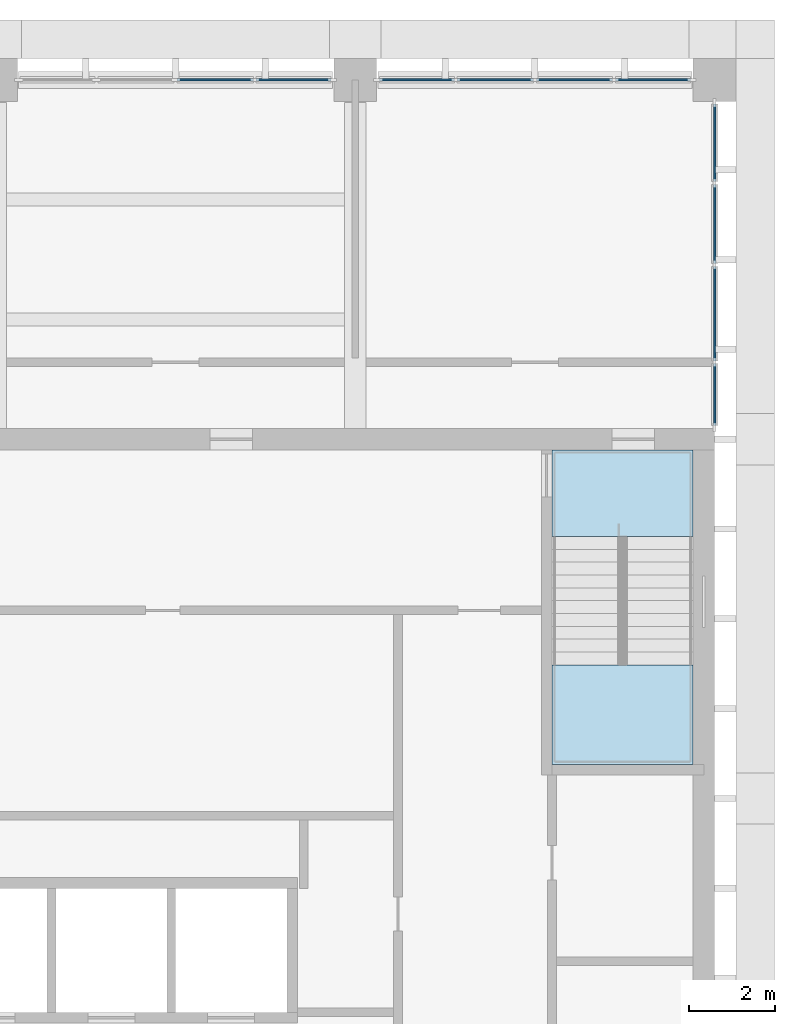
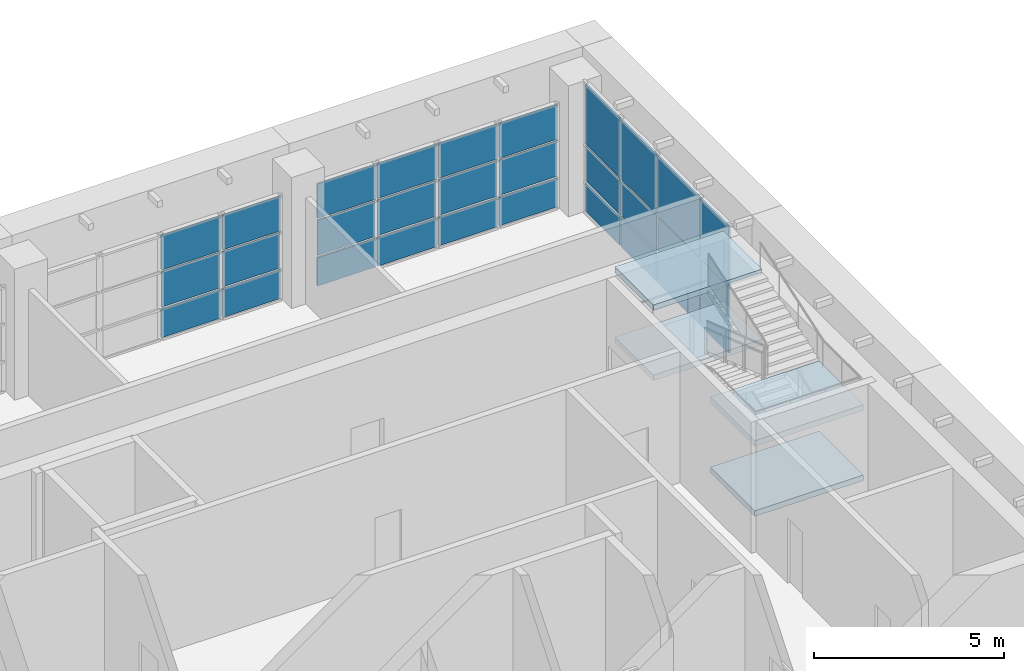
# One storey, part 16 of 56: 30 plates, 4 slabs, 4 elements without a shape of their own.
"""IFC4 building model written with IfcOpenShell, lengths in metres."""

from ifc_helpers import new_model, si_unit, direction, frame, origin, origin_2d, place, context, subcontext, project, spatial, polyline, rectangle, outline, extrude, material, layer, layer_set, type_object, element, aggregate, save


model = new_model("IFC4")

# Units and contexts
model_context = context("Model", 3, precision=1e-05, world=origin(), true_north=direction((0.0, 1.0)))
body_context = subcontext(model_context, "Body", "Model", "MODEL_VIEW")
ifc_project = project(units=[si_unit("LENGTHUNIT", "METRE"), si_unit("AREAUNIT", "SQUARE_METRE"), si_unit("VOLUMEUNIT", "CUBIC_METRE"), si_unit("PLANEANGLEUNIT", "RADIAN"), si_unit("MASSUNIT", "GRAM", prefix="KILO")], contexts=[model_context])

# Site, building, storey
site_placement = place(None, origin())
site = spatial("IfcSite", under=ifc_project, at=site_placement, CompositionType="ELEMENT")
building_placement = place(site_placement, origin())
building = spatial("IfcBuilding", under=site, at=building_placement, Name="Rulbaag Community and Learning Centre", CompositionType="ELEMENT")
storey_placement = place(building_placement, frame((0.0, 0.0, 9.89990234375)))
storey = spatial("IfcBuildingStorey", under=building, at=storey_placement, Name="L02", CompositionType="ELEMENT", Elevation=9.89990234375)

# Curtain wall, plates
ifc_material_1 = material(Name="Aluminium", Category="aluminium")
ifc_layer_1 = layer(ifc_material_1, 0.14990234375)
ifc_layer_set_1 = layer_set([ifc_layer_1], Name="CW-T")
curtain_wall_type = type_object("IfcCurtainWallType", Name="CW-T", PredefinedType="USERDEFINED", material=ifc_layer_set_1)
curtain_wall_1_placement = place(storey_placement, origin())
curtain_wall_1 = element("IfcCurtainWall", 1, at=curtain_wall_1_placement, inside=storey, type_object=curtain_wall_type, Name="GT-L02-02", ObjectType="UNITISED CURTAIN WALL", PredefinedType="USERDEFINED")
ifc_layer_2 = layer(ifc_material_1, 0.06005859375)
ifc_layer_set_2 = layer_set([ifc_layer_2], Name="CW-T-SPN")
plate_type_1 = type_object("IfcPlateType", Name="CW-T-SPN", PredefinedType="CURTAIN_PANEL", material=ifc_layer_set_2)
plate_1_placement = place(storey_placement, frame((156.324951171875, 117.60009765625, 0.06494140625), z_axis=(0.0, 0.0, 1.0), x_axis=(1.0, 0.0, 0.0)))
plate_1 = element("IfcPlate", 2, at=plate_1_placement, type_object=plate_type_1, Name="GT spandrel panel", PredefinedType="CURTAIN_PANEL", context=body_context, shape_type="SweptSolid", body=[
    extrude(rectangle(XDim=1.784912109375, YDim=0.06005859375, at=origin_2d()), origin(), (0.0, 0.0, 1.0), 0.902587890625),
])
plate_2_placement = place(storey_placement, frame((156.324951171875, 117.60009765625, 2.232666015625), z_axis=(0.0, 0.0, 1.0), x_axis=(1.0, 0.0, 0.0)))
plate_2 = element("IfcPlate", 3, at=plate_2_placement, type_object=plate_type_1, Name="GT spandrel panel", PredefinedType="CURTAIN_PANEL", context=body_context, shape_type="SweptSolid", body=[
    extrude(rectangle(XDim=1.784912109375, YDim=0.06005859375, at=origin_2d()), origin(), (0.0, 0.0, 1.0), 1.1025390625),
])
plate_3_placement = place(storey_placement, frame((158.15869140625, 117.60009765625, 0.06494140625), z_axis=(0.0, 0.0, 1.0), x_axis=(1.0, 0.0, 0.0)))
plate_3 = element("IfcPlate", 4, at=plate_3_placement, type_object=plate_type_1, Name="GT spandrel panel", PredefinedType="CURTAIN_PANEL", context=body_context, shape_type="SweptSolid", body=[
    extrude(rectangle(XDim=1.75244140625, YDim=0.06005859375, at=origin_2d()), origin(), (0.0, 0.0, 1.0), 0.902587890625),
])
plate_4_placement = place(storey_placement, frame((158.15869140625, 117.60009765625, 2.232666015625), z_axis=(0.0, 0.0, 1.0), x_axis=(1.0, 0.0, 0.0)))
plate_4 = element("IfcPlate", 5, at=plate_4_placement, type_object=plate_type_1, Name="GT spandrel panel", PredefinedType="CURTAIN_PANEL", context=body_context, shape_type="SweptSolid", body=[
    extrude(rectangle(XDim=1.75244140625, YDim=0.06005859375, at=origin_2d()), origin(), (0.0, 0.0, 1.0), 1.1025390625),
])

curtain_wall_2_placement = place(storey_placement, origin())
curtain_wall_2 = element("IfcCurtainWall", 6, at=curtain_wall_2_placement, inside=storey, type_object=curtain_wall_type, Name="GT-L02-03", ObjectType="UNITISED CURTAIN WALL", PredefinedType="USERDEFINED")
plate_5_placement = place(storey_placement, frame((161.041259765625, 117.60009765625, 0.06494140625), z_axis=(0.0, 0.0, 1.0), x_axis=(1.0, 0.0, 0.0)))
plate_5 = element("IfcPlate", 7, at=plate_5_placement, type_object=plate_type_1, Name="GT spandrel panel", PredefinedType="CURTAIN_PANEL", context=body_context, shape_type="SweptSolid", body=[
    extrude(rectangle(XDim=1.75244140625, YDim=0.06005859375, at=origin_2d()), origin(), (0.0, 0.0, 1.0), 0.902587890625),
])
plate_6_placement = place(storey_placement, frame((161.041259765625, 117.60009765625, 2.232666015625), z_axis=(0.0, 0.0, 1.0), x_axis=(1.0, 0.0, 0.0)))
plate_6 = element("IfcPlate", 8, at=plate_6_placement, type_object=plate_type_1, Name="GT spandrel panel", PredefinedType="CURTAIN_PANEL", context=body_context, shape_type="SweptSolid", body=[
    extrude(rectangle(XDim=1.75244140625, YDim=0.06005859375, at=origin_2d()), origin(), (0.0, 0.0, 1.0), 1.1025390625),
])
plate_7_placement = place(storey_placement, frame((162.875, 117.60009765625, 0.06494140625), z_axis=(0.0, 0.0, 1.0), x_axis=(1.0, 0.0, 0.0)))
plate_7 = element("IfcPlate", 9, at=plate_7_placement, type_object=plate_type_1, Name="GT spandrel panel", PredefinedType="CURTAIN_PANEL", context=body_context, shape_type="SweptSolid", body=[
    extrude(rectangle(XDim=1.784912109375, YDim=0.06005859375, at=origin_2d()), origin(), (0.0, 0.0, 1.0), 0.902587890625),
])
plate_8_placement = place(storey_placement, frame((162.875, 117.60009765625, 2.232666015625), z_axis=(0.0, 0.0, 1.0), x_axis=(1.0, 0.0, 0.0)))
plate_8 = element("IfcPlate", 10, at=plate_8_placement, type_object=plate_type_1, Name="GT spandrel panel", PredefinedType="CURTAIN_PANEL", context=body_context, shape_type="SweptSolid", body=[
    extrude(rectangle(XDim=1.784912109375, YDim=0.06005859375, at=origin_2d()), origin(), (0.0, 0.0, 1.0), 1.1025390625),
])
plate_9_placement = place(storey_placement, frame((164.72509765625, 117.60009765625, 0.06494140625), z_axis=(0.0, 0.0, 1.0), x_axis=(1.0, 0.0, 0.0)))
plate_9 = element("IfcPlate", 11, at=plate_9_placement, type_object=plate_type_1, Name="GT spandrel panel", PredefinedType="CURTAIN_PANEL", context=body_context, shape_type="SweptSolid", body=[
    extrude(rectangle(XDim=1.784912109375, YDim=0.06005859375, at=origin_2d()), origin(), (0.0, 0.0, 1.0), 0.902587890625),
])
plate_10_placement = place(storey_placement, frame((164.72509765625, 117.60009765625, 2.232666015625), z_axis=(0.0, 0.0, 1.0), x_axis=(1.0, 0.0, 0.0)))
plate_10 = element("IfcPlate", 12, at=plate_10_placement, type_object=plate_type_1, Name="GT spandrel panel", PredefinedType="CURTAIN_PANEL", context=body_context, shape_type="SweptSolid", body=[
    extrude(rectangle(XDim=1.784912109375, YDim=0.06005859375, at=origin_2d()), origin(), (0.0, 0.0, 1.0), 1.1025390625),
])
plate_11_placement = place(storey_placement, frame((166.558837890625, 117.60009765625, 0.06494140625), z_axis=(0.0, 0.0, 1.0), x_axis=(1.0, 0.0, 0.0)))
plate_11 = element("IfcPlate", 13, at=plate_11_placement, type_object=plate_type_1, Name="GT spandrel panel", PredefinedType="CURTAIN_PANEL", context=body_context, shape_type="SweptSolid", body=[
    extrude(rectangle(XDim=1.75244140625, YDim=0.06005859375, at=origin_2d()), origin(), (0.0, 0.0, 1.0), 0.902587890625),
])
plate_12_placement = place(storey_placement, frame((166.558837890625, 117.60009765625, 2.232666015625), z_axis=(0.0, 0.0, 1.0), x_axis=(1.0, 0.0, 0.0)))
plate_12 = element("IfcPlate", 14, at=plate_12_placement, type_object=plate_type_1, Name="GT spandrel panel", PredefinedType="CURTAIN_PANEL", context=body_context, shape_type="SweptSolid", body=[
    extrude(rectangle(XDim=1.75244140625, YDim=0.06005859375, at=origin_2d()), origin(), (0.0, 0.0, 1.0), 1.1025390625),
])

curtain_wall_3_placement = place(storey_placement, origin())
curtain_wall_3 = element("IfcCurtainWall", 15, at=curtain_wall_3_placement, inside=storey, type_object=curtain_wall_type, Name="GT-L02-06", ObjectType="UNITISED CURTAIN WALL", PredefinedType="USERDEFINED")
plate_13_placement = place(storey_placement, frame((168.0, 110.2412109375, 0.06494140625), z_axis=(0.0, 0.0, 1.0), x_axis=(0.0, 1.0, 0.0)))
plate_13 = element("IfcPlate", 16, at=plate_13_placement, type_object=plate_type_1, Name="GT spandrel panel", PredefinedType="CURTAIN_PANEL", context=body_context, shape_type="SweptSolid", body=[
    extrude(rectangle(XDim=1.452392578125, YDim=0.06005859375, at=origin_2d()), origin(), (0.0, 0.0, 1.0), 0.902587890625),
])
plate_14_placement = place(storey_placement, frame((168.0, 110.2412109375, 2.232421875), z_axis=(0.0, 0.0, 1.0), x_axis=(0.0, 1.0, 0.0)))
plate_14 = element("IfcPlate", 17, at=plate_14_placement, type_object=plate_type_1, Name="GT spandrel panel", PredefinedType="CURTAIN_PANEL", context=body_context, shape_type="SweptSolid", body=[
    extrude(rectangle(XDim=1.452392578125, YDim=0.06005859375, at=origin_2d()), origin(), (0.0, 0.0, 1.0), 1.902587890625),
])
plate_15_placement = place(storey_placement, frame((168.0, 112.137451171875, 0.06494140625), z_axis=(0.0, 0.0, 1.0), x_axis=(0.0, 1.0, 0.0)))
plate_15 = element("IfcPlate", 18, at=plate_15_placement, type_object=plate_type_1, Name="GT spandrel panel", PredefinedType="CURTAIN_PANEL", context=body_context, shape_type="SweptSolid", body=[
    extrude(rectangle(XDim=2.2099609375, YDim=0.06005859375, at=origin_2d()), origin(), (0.0, 0.0, 1.0), 0.902587890625),
])
plate_16_placement = place(storey_placement, frame((168.0, 112.137451171875, 2.232421875), z_axis=(0.0, 0.0, 1.0), x_axis=(0.0, 1.0, 0.0)))
plate_16 = element("IfcPlate", 19, at=plate_16_placement, type_object=plate_type_1, Name="GT spandrel panel", PredefinedType="CURTAIN_PANEL", context=body_context, shape_type="SweptSolid", body=[
    extrude(rectangle(XDim=2.2099609375, YDim=0.06005859375, at=origin_2d()), origin(), (0.0, 0.0, 1.0), 1.902587890625),
])
plate_17_placement = place(storey_placement, frame((168.0, 114.231201171875, 0.06494140625), z_axis=(0.0, 0.0, 1.0), x_axis=(0.0, 1.0, 0.0)))
plate_17 = element("IfcPlate", 20, at=plate_17_placement, type_object=plate_type_1, Name="GT spandrel panel", PredefinedType="CURTAIN_PANEL", context=body_context, shape_type="SweptSolid", body=[
    extrude(rectangle(XDim=1.847412109375, YDim=0.06005859375, at=origin_2d()), origin(), (0.0, 0.0, 1.0), 0.902587890625),
])
plate_18_placement = place(storey_placement, frame((168.0, 114.231201171875, 2.232421875), z_axis=(0.0, 0.0, 1.0), x_axis=(0.0, 1.0, 0.0)))
plate_18 = element("IfcPlate", 21, at=plate_18_placement, type_object=plate_type_1, Name="GT spandrel panel", PredefinedType="CURTAIN_PANEL", context=body_context, shape_type="SweptSolid", body=[
    extrude(rectangle(XDim=1.847412109375, YDim=0.06005859375, at=origin_2d()), origin(), (0.0, 0.0, 1.0), 1.902587890625),
])
plate_19_placement = place(storey_placement, frame((168.0, 116.12744140625, 0.06494140625), z_axis=(0.0, 0.0, 1.0), x_axis=(0.0, 1.0, 0.0)))
plate_19 = element("IfcPlate", 22, at=plate_19_placement, type_object=plate_type_1, Name="GT spandrel panel", PredefinedType="CURTAIN_PANEL", context=body_context, shape_type="SweptSolid", body=[
    extrude(rectangle(XDim=1.81494140625, YDim=0.06005859375, at=origin_2d()), origin(), (0.0, 0.0, 1.0), 0.902587890625),
])
plate_20_placement = place(storey_placement, frame((168.0, 116.12744140625, 2.232421875), z_axis=(0.0, 0.0, 1.0), x_axis=(0.0, 1.0, 0.0)))
plate_20 = element("IfcPlate", 23, at=plate_20_placement, type_object=plate_type_1, Name="GT spandrel panel", PredefinedType="CURTAIN_PANEL", context=body_context, shape_type="SweptSolid", body=[
    extrude(rectangle(XDim=1.81494140625, YDim=0.06005859375, at=origin_2d()), origin(), (0.0, 0.0, 1.0), 1.902587890625),
])

# Plate
ifc_material_2 = material(Name="Glass", Category="glass")
ifc_layer_3 = layer(ifc_material_2, 0.028076171875)
ifc_layer_set_3 = layer_set([ifc_layer_3], Name="CW-T-VIS")
plate_type_2 = type_object("IfcPlateType", Name="CW-T-VIS", PredefinedType="CURTAIN_PANEL", material=ifc_layer_set_3)
plate_21_placement = place(storey_placement, frame((156.324951171875, 117.60009765625, 1.03271484375), z_axis=(0.0, 0.0, 1.0), x_axis=(1.0, 0.0, 0.0)))
plate_21 = element("IfcPlate", 24, at=plate_21_placement, type_object=plate_type_2, Name="GT vision panel", PredefinedType="CURTAIN_PANEL", context=body_context, shape_type="SweptSolid", body=[
    extrude(rectangle(XDim=1.784912109375, YDim=0.028076171875, at=origin_2d()), origin(), (0.0, 0.0, 1.0), 1.135009765625),
])

plate_22_placement = place(storey_placement, frame((158.15869140625, 117.60009765625, 1.03271484375), z_axis=(0.0, 0.0, 1.0), x_axis=(1.0, 0.0, 0.0)))
plate_22 = element("IfcPlate", 25, at=plate_22_placement, type_object=plate_type_2, Name="GT vision panel", PredefinedType="CURTAIN_PANEL", context=body_context, shape_type="SweptSolid", body=[
    extrude(rectangle(XDim=1.75244140625, YDim=0.028076171875, at=origin_2d()), origin(), (0.0, 0.0, 1.0), 1.135009765625),
])

aggregate(curtain_wall_1, [plate_1, plate_21, plate_2, plate_3, plate_22, plate_4])

plate_23_placement = place(storey_placement, frame((161.041259765625, 117.60009765625, 1.03271484375), z_axis=(0.0, 0.0, 1.0), x_axis=(1.0, 0.0, 0.0)))
plate_23 = element("IfcPlate", 26, at=plate_23_placement, type_object=plate_type_2, Name="GT vision panel", PredefinedType="CURTAIN_PANEL", context=body_context, shape_type="SweptSolid", body=[
    extrude(rectangle(XDim=1.75244140625, YDim=0.028076171875, at=origin_2d()), origin(), (0.0, 0.0, 1.0), 1.135009765625),
])

plate_24_placement = place(storey_placement, frame((162.875, 117.60009765625, 1.03271484375), z_axis=(0.0, 0.0, 1.0), x_axis=(1.0, 0.0, 0.0)))
plate_24 = element("IfcPlate", 27, at=plate_24_placement, type_object=plate_type_2, Name="GT vision panel", PredefinedType="CURTAIN_PANEL", context=body_context, shape_type="SweptSolid", body=[
    extrude(rectangle(XDim=1.784912109375, YDim=0.028076171875, at=origin_2d()), origin(), (0.0, 0.0, 1.0), 1.135009765625),
])

plate_25_placement = place(storey_placement, frame((164.72509765625, 117.60009765625, 1.03271484375), z_axis=(0.0, 0.0, 1.0), x_axis=(1.0, 0.0, 0.0)))
plate_25 = element("IfcPlate", 28, at=plate_25_placement, type_object=plate_type_2, Name="GT vision panel", PredefinedType="CURTAIN_PANEL", context=body_context, shape_type="SweptSolid", body=[
    extrude(rectangle(XDim=1.784912109375, YDim=0.028076171875, at=origin_2d()), origin(), (0.0, 0.0, 1.0), 1.135009765625),
])

plate_26_placement = place(storey_placement, frame((166.558837890625, 117.60009765625, 1.03271484375), z_axis=(0.0, 0.0, 1.0), x_axis=(1.0, 0.0, 0.0)))
plate_26 = element("IfcPlate", 29, at=plate_26_placement, type_object=plate_type_2, Name="GT vision panel", PredefinedType="CURTAIN_PANEL", context=body_context, shape_type="SweptSolid", body=[
    extrude(rectangle(XDim=1.75244140625, YDim=0.028076171875, at=origin_2d()), origin(), (0.0, 0.0, 1.0), 1.135009765625),
])

aggregate(curtain_wall_2, [plate_5, plate_23, plate_6, plate_7, plate_24, plate_8, plate_9, plate_25, plate_10, plate_11, plate_26, plate_12])

plate_27_placement = place(storey_placement, frame((168.0, 110.2412109375, 1.03271484375), z_axis=(0.0, 0.0, 1.0), x_axis=(0.0, 1.0, 0.0)))
plate_27 = element("IfcPlate", 30, at=plate_27_placement, type_object=plate_type_2, Name="GT vision panel", PredefinedType="CURTAIN_PANEL", context=body_context, shape_type="SweptSolid", body=[
    extrude(rectangle(XDim=1.452392578125, YDim=0.028076171875, at=origin_2d()), origin(), (0.0, 0.0, 1.0), 1.135009765625),
])

plate_28_placement = place(storey_placement, frame((168.0, 112.137451171875, 1.03271484375), z_axis=(0.0, 0.0, 1.0), x_axis=(0.0, 1.0, 0.0)))
plate_28 = element("IfcPlate", 31, at=plate_28_placement, type_object=plate_type_2, Name="GT vision panel", PredefinedType="CURTAIN_PANEL", context=body_context, shape_type="SweptSolid", body=[
    extrude(rectangle(XDim=2.2099609375, YDim=0.028076171875, at=origin_2d()), origin(), (0.0, 0.0, 1.0), 1.135009765625),
])

plate_29_placement = place(storey_placement, frame((168.0, 114.231201171875, 1.03271484375), z_axis=(0.0, 0.0, 1.0), x_axis=(0.0, 1.0, 0.0)))
plate_29 = element("IfcPlate", 32, at=plate_29_placement, type_object=plate_type_2, Name="GT vision panel", PredefinedType="CURTAIN_PANEL", context=body_context, shape_type="SweptSolid", body=[
    extrude(rectangle(XDim=1.847412109375, YDim=0.028076171875, at=origin_2d()), origin(), (0.0, 0.0, 1.0), 1.135009765625),
])

plate_30_placement = place(storey_placement, frame((168.0, 116.12744140625, 1.03271484375), z_axis=(0.0, 0.0, 1.0), x_axis=(0.0, 1.0, 0.0)))
plate_30 = element("IfcPlate", 33, at=plate_30_placement, type_object=plate_type_2, Name="GT vision panel", PredefinedType="CURTAIN_PANEL", context=body_context, shape_type="SweptSolid", body=[
    extrude(rectangle(XDim=1.81494140625, YDim=0.028076171875, at=origin_2d()), origin(), (0.0, 0.0, 1.0), 1.135009765625),
])

aggregate(curtain_wall_3, [plate_13, plate_27, plate_14, plate_15, plate_28, plate_16, plate_17, plate_29, plate_18, plate_19, plate_30, plate_20])

# Stair, slabs
ifc_material_3 = material(Name="Concrete M40", Category="concrete")
stair_type = type_object("IfcStairType", Name="ST-1650 STAIR 1650 WIDE", PredefinedType="HALF_TURN_STAIR", material=ifc_material_3)
stair_placement = place(storey_placement, origin())
stair = element("IfcStair", 34, at=stair_placement, inside=storey, type_object=stair_type, Name="Stair ST2 L02", PredefinedType="HALF_TURN_STAIR")
ifc_layer_4 = layer(ifc_material_3, 0.179931640625)
ifc_layer_set_4 = layer_set([ifc_layer_4], Name="LN-180 LANDING 180 Concrete M40")
slab_type = type_object("IfcSlabType", Name="LN-180 LANDING 180 Concrete M40", PredefinedType="LANDING", material=ifc_layer_set_4)
slab_1_placement = place(storey_placement, frame((0.0, 0.0, 0.945068359375)))
slab_1 = element("IfcSlab", 35, at=slab_1_placement, type_object=slab_type, Name="ST2 landing 1", PredefinedType="LANDING", context=body_context, shape_type="SweptSolid", body=[
    extrude(outline(polyline([(164.199951171875, 101.60009765625), (164.199951171875, 103.925048828125), (167.5, 103.925048828125), (167.5, 101.60009765625), (164.199951171875, 101.60009765625)])), origin(), (0.0, 0.0, 1.0), 0.179931640625),
])
slab_2_placement = place(storey_placement, frame((0.0, 0.0, 2.070068359375)))
slab_2 = element("IfcSlab", 36, at=slab_2_placement, type_object=slab_type, Name="ST2 landing 2", PredefinedType="LANDING", context=body_context, shape_type="SweptSolid", body=[
    extrude(outline(polyline([(164.199951171875, 106.925048828125), (164.199951171875, 108.949951171875), (167.5, 108.949951171875), (167.5, 106.925048828125), (164.199951171875, 106.925048828125)])), origin(), (0.0, 0.0, 1.0), 0.179931640625),
])
slab_3_placement = place(storey_placement, frame((0.0, 0.0, 3.195068359375)))
slab_3 = element("IfcSlab", 37, at=slab_3_placement, type_object=slab_type, Name="ST2 landing 3", PredefinedType="LANDING", context=body_context, shape_type="SweptSolid", body=[
    extrude(outline(polyline([(164.199951171875, 101.60009765625), (164.199951171875, 103.925048828125), (167.5, 103.925048828125), (167.5, 101.60009765625), (164.199951171875, 101.60009765625)])), origin(), (0.0, 0.0, 1.0), 0.179931640625),
])
slab_4_placement = place(storey_placement, frame((0.0, 0.0, 4.320068359375)))
slab_4 = element("IfcSlab", 38, at=slab_4_placement, type_object=slab_type, Name="ST2 landing 4", PredefinedType="LANDING", context=body_context, shape_type="SweptSolid", body=[
    extrude(outline(polyline([(164.199951171875, 106.925048828125), (164.199951171875, 108.949951171875), (167.5, 108.949951171875), (167.5, 106.925048828125), (164.199951171875, 106.925048828125)])), origin(), (0.0, 0.0, 1.0), 0.179931640625),
])
aggregate(stair, [slab_1, slab_2, slab_3, slab_4])

save(model, "model.ifc")
